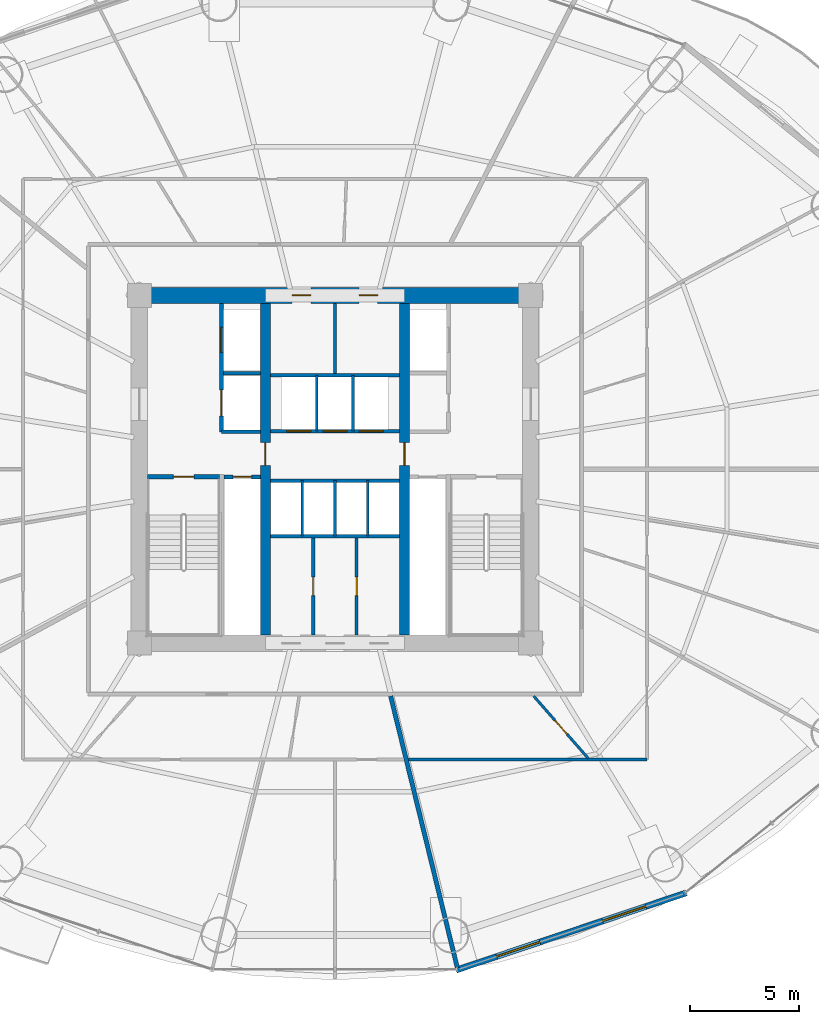
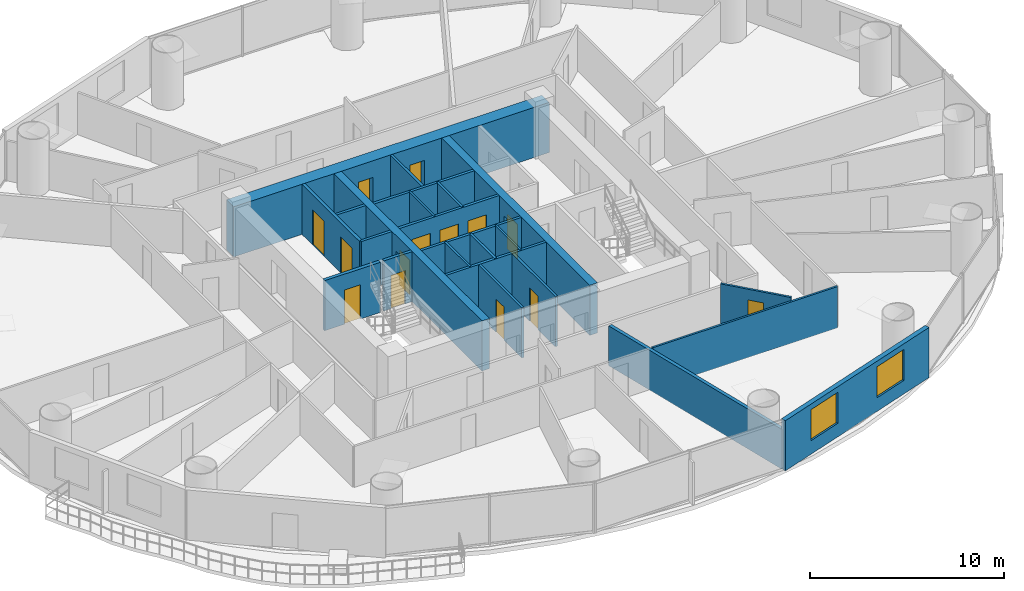
# One storey, part 23 of 29: 24 walls, 14 doors, 2 windows, 16 openings.
"""IFC4 building model written with IfcOpenShell, lengths in metres."""

from ifc_helpers import new_model, si_unit, direction, frame, frame_2d, origin, place, context, subcontext, project, spatial, rectangle, extrude, source, transform, mapped, material, layer, layer_set, type_object, element, fill, save


model = new_model("IFC4")

# Units and contexts
model_context = context("Model", 3, precision=1e-05, world=origin(), true_north=direction((-0.2419218956, 0.970295726276)))
body_context = subcontext(model_context, "Body", "Model", "MODEL_VIEW")
ifc_project = project(units=[si_unit("LENGTHUNIT", "METRE"), si_unit("AREAUNIT", "SQUARE_METRE"), si_unit("VOLUMEUNIT", "CUBIC_METRE"), si_unit("PLANEANGLEUNIT", "RADIAN"), si_unit("MASSUNIT", "GRAM", prefix="KILO")], contexts=[model_context])

# Site, building, storey
site_placement = place(None, origin())
site = spatial("IfcSite", under=ifc_project, at=site_placement, CompositionType="ELEMENT")
building_placement = place(site_placement, origin())
building = spatial("IfcBuilding", under=site, at=building_placement, Name="Cobrevalo Terracotta Tower", CompositionType="ELEMENT")
storey_placement = place(building_placement, frame((0.0, 0.0, 70.800048828125)))
storey = spatial("IfcBuildingStorey", under=building, at=storey_placement, Name="L18", CompositionType="ELEMENT", Elevation=70.800048828125)

# Wall, openings, doors
ifc_material_1 = material(Name="Concrete C60", Category="concrete")
ifc_layer_1 = layer(ifc_material_1, 0.75)
ifc_layer_set_1 = layer_set([ifc_layer_1], Name="Concrete C60")
wall_type_1 = type_object("IfcWallType", Name="Core shear wall 750 mm Concrete C60", PredefinedType="SHEAR", material=ifc_layer_set_1)
wall_1_placement = place(storey_placement, frame((28.625, 34.800048828125, 0.0), z_axis=(0.0, 0.0, 1.0), x_axis=(1.0, 0.0, 0.0)))
wall_1 = element("IfcWall", 1, at=wall_1_placement, inside=storey, type_object=wall_type_1, Name="L18 north core shear wall", PredefinedType="SHEAR", context=body_context, shape_type="SweptSolid", body=[
    extrude(rectangle(XDim=18.75, YDim=0.75, at=frame_2d((9.375, 0.0))), origin(), (0.0, 0.0, 1.0), 3.14990234375),
])
opening_1_placement = place(wall_1_placement, frame((7.407470703125, 0.0, 0.0)))
opening_1 = element("IfcOpeningElement", 2, at=opening_1_placement, cuts=wall_1, Name="Opening ID-07", PredefinedType="OPENING", context=body_context, shape_type="SweptSolid", body=[
    extrude(rectangle(XDim=0.860107421875, YDim=2.10009765625, at=frame_2d((0.43017578125, 1.050048828125))), frame((0.0, 0.385009765625, 0.0), z_axis=(0.0, -1.0, 0.0), x_axis=(1.0, 0.0, 0.0)), (0.0, 0.0, 1.0), 0.77001953125),
])
opening_2_placement = place(wall_1_placement, frame((10.487548828125, 0.0, 0.0)))
opening_2 = element("IfcOpeningElement", 3, at=opening_2_placement, cuts=wall_1, Name="Opening ID-22", PredefinedType="OPENING", context=body_context, shape_type="SweptSolid", body=[
    extrude(rectangle(XDim=0.85009765625, YDim=2.10009765625, at=frame_2d((0.425048828125, 1.050048828125))), frame((0.0, 0.385009765625, 0.0), z_axis=(0.0, -1.0, 0.0), x_axis=(1.0, 0.0, 0.0)), (0.0, 0.0, 1.0), 0.77001953125),
])
ifc_material_2 = material(Name="Powder-coated steel", Category="steel")
door_type_1 = type_object("IfcDoorType", Name="Riser shaft & meter closet fire access door 850x2100 EI 60", OperationType="NOTDEFINED", PredefinedType="DOOR", material=ifc_material_2)
shared_shape_1 = source(origin(), body_context, "Body", "SweptSolid", [
    extrude(rectangle(XDim=0.85009765625, YDim=2.10009765625, at=frame_2d((0.425048828125, 1.050048828125))), frame((0.0, 0.02490234375, 0.0), z_axis=(0.0, -1.0, 0.0), x_axis=(1.0, 0.0, 0.0)), (0.0, 0.0, 1.0), 0.050048828125),
])
door_1_placement = place(opening_2_placement, frame((0.85009765625, 0.0, 0.0), z_axis=(0.0, 0.0, 1.0), x_axis=(-1.0, 0.0, 0.0)))
door_1 = element("IfcDoor", 4, at=door_1_placement, inside=storey, type_object=door_type_1, Name="L18 core north service door Floor Telecom and Metering Plant", OperationType="SINGLE_SWING_RIGHT", OverallHeight=2.10009765625, OverallWidth=0.85009765625, PredefinedType="DOOR", context=body_context, shape_type="MappedRepresentation", body=[
    mapped(shared_shape_1, transform((0.0, 0.0, 0.0), scale=1.0)),
])
fill(opening_2, door_1)
ifc_material_3 = material(Name="Fire-rated moisture-sealed timber", Category="wood")
door_type_2 = type_object("IfcDoorType", Name="Core & podium fire-rated accessible WC door 860x2100 EI 60", OperationType="NOTDEFINED", PredefinedType="DOOR", material=ifc_material_3)
shared_shape_2 = source(origin(), body_context, "Body", "SweptSolid", [
    extrude(rectangle(XDim=0.860107421875, YDim=2.10009765625, at=frame_2d((0.43017578125, 1.050048828125))), frame((0.0, 0.02490234375, 0.0), z_axis=(0.0, -1.0, 0.0), x_axis=(1.0, 0.0, 0.0)), (0.0, 0.0, 1.0), 0.050048828125),
])
door_2_placement = place(opening_1_placement, frame((0.860107421875, 0.0, 0.0), z_axis=(0.0, 0.0, 1.0), x_axis=(-1.0, 0.0, 0.0)))
door_2 = element("IfcDoor", 5, at=door_2_placement, inside=storey, type_object=door_type_2, Name="L18 core north service door Core Accessible Toilet WC", OperationType="SINGLE_SWING_LEFT", OverallHeight=2.10009765625, OverallWidth=0.860107421875, PredefinedType="DOOR", context=body_context, shape_type="MappedRepresentation", body=[
    mapped(shared_shape_2, transform((0.0, 0.0, 0.0), scale=1.0)),
])
fill(opening_1, door_2)

# Walls
ifc_material_4 = material(Name="Gypsum board on steel stud", Category="steel")
ifc_layer_2 = layer(ifc_material_4, 0.159912109375)
ifc_layer_set_2 = layer_set([ifc_layer_2], Name="Gypsum board on steel stud")
wall_type_2 = type_object("IfcWallType", Name="Fire-rated corridor acoustic partition wall 160 mm", PredefinedType="PARTITIONING", material=ifc_layer_set_2)
wall_2_placement = place(storey_placement, frame((32.860107421875, 31.219970703125, 0.0), z_axis=(0.0, 0.0, 1.0), x_axis=(1.0, 0.0, 0.0)))
element("IfcWall", 6, at=wall_2_placement, inside=storey, type_object=wall_type_2, Name="L18 interior partition IW-L18-FF1-M", PredefinedType="PARTITIONING", context=body_context, shape_type="SweptSolid", body=[
    extrude(rectangle(XDim=1.71484375, YDim=0.159912109375, at=frame_2d((0.857421875, 0.0))), origin(), (0.0, 0.0, 1.0), 3.14990234375),
])
wall_3_placement = place(storey_placement, frame((32.77001953125, 28.52001953125, 0.0), z_axis=(0.0, 0.0, 1.0), x_axis=(1.0, 0.0, 0.0)))
element("IfcWall", 7, at=wall_3_placement, inside=storey, type_object=wall_type_2, Name="L18 interior partition IW-L18-FF1-S", PredefinedType="PARTITIONING", context=body_context, shape_type="SweptSolid", body=[
    extrude(rectangle(XDim=1.804931640625, YDim=0.159912109375, at=frame_2d((0.90234375, 0.0))), origin(), (0.0, 0.0, 1.0), 3.14990234375),
])

# Wall, openings, doors
wall_4_placement = place(storey_placement, frame((35.02490234375, 28.56005859375, 0.0), z_axis=(0.0, 0.0, 1.0), x_axis=(1.0, 0.0, 0.0)))
wall_4 = element("IfcWall", 8, at=wall_4_placement, inside=storey, type_object=wall_type_2, Name="L18 interior partition IW-L18-LB-S", PredefinedType="PARTITIONING", context=body_context, shape_type="SweptSolid", body=[
    extrude(rectangle(XDim=5.9501953125, YDim=0.159912109375, at=frame_2d((2.97509765625, 0.0))), origin(), (0.0, 0.0, 1.0), 3.14990234375),
])
opening_3_placement = place(wall_4_placement, frame((0.760009765625, 0.0, 0.0)))
opening_3 = element("IfcOpeningElement", 9, at=opening_3_placement, cuts=wall_4, Name="Opening LD-01", PredefinedType="OPENING", context=body_context, shape_type="SweptSolid", body=[
    extrude(rectangle(XDim=1.10009765625, YDim=2.199951171875, at=frame_2d((0.550048828125, 1.10009765625))), frame((0.0, 0.08984375, 0.0), z_axis=(0.0, -1.0, 0.0), x_axis=(1.0, 0.0, 0.0)), (0.0, 0.0, 1.0), 0.179931640625),
])
opening_4_placement = place(wall_4_placement, frame((2.425048828125, 0.0, 0.0)))
opening_4 = element("IfcOpeningElement", 10, at=opening_4_placement, cuts=wall_4, Name="Opening LD-01", PredefinedType="OPENING", context=body_context, shape_type="SweptSolid", body=[
    extrude(rectangle(XDim=1.10009765625, YDim=2.199951171875, at=frame_2d((0.550048828125, 1.10009765625))), frame((0.0, 0.08984375, 0.0), z_axis=(0.0, -1.0, 0.0), x_axis=(1.0, 0.0, 0.0)), (0.0, 0.0, 1.0), 0.179931640625),
])
opening_5_placement = place(wall_4_placement, frame((4.090087890625, 0.0, 0.0)))
opening_5 = element("IfcOpeningElement", 11, at=opening_5_placement, cuts=wall_4, Name="Opening LD-01", PredefinedType="OPENING", context=body_context, shape_type="SweptSolid", body=[
    extrude(rectangle(XDim=1.10009765625, YDim=2.199951171875, at=frame_2d((0.550048828125, 1.10009765625))), frame((0.0, 0.08984375, 0.0), z_axis=(0.0, -1.0, 0.0), x_axis=(1.0, 0.0, 0.0)), (0.0, 0.0, 1.0), 0.179931640625),
])
ifc_material_5 = material(Name="Brushed stainless steel", Category="steel")
door_type_3 = type_object("IfcDoorType", Name="Passenger lift landing bi-parting sliding door 1100x2200 EI 90", OperationType="DOUBLE_DOOR_SLIDING", PredefinedType="DOOR", material=ifc_material_5)
shared_shape_3 = source(origin(), body_context, "Body", "SweptSolid", [
    extrude(rectangle(XDim=1.10009765625, YDim=2.199951171875, at=frame_2d((0.550048828125, 1.10009765625))), frame((0.0, 0.02490234375, 0.0), z_axis=(0.0, -1.0, 0.0), x_axis=(1.0, 0.0, 0.0)), (0.0, 0.0, 1.0), 0.050048828125),
])
door_3_placement = place(opening_3_placement, origin())
door_3 = element("IfcDoor", 12, at=door_3_placement, inside=storey, type_object=door_type_3, Name="L18 lift landing door PL-L1", OperationType="DOUBLE_DOOR_SLIDING", OverallHeight=2.199951171875, OverallWidth=1.10009765625, PredefinedType="DOOR", context=body_context, shape_type="MappedRepresentation", body=[
    mapped(shared_shape_3, transform((0.0, 0.0, 0.0), scale=1.0)),
])
fill(opening_3, door_3)
door_4_placement = place(opening_4_placement, origin())
door_4 = element("IfcDoor", 13, at=door_4_placement, inside=storey, type_object=door_type_3, Name="L18 lift landing door PL-L2", OperationType="DOUBLE_DOOR_SLIDING", OverallHeight=2.199951171875, OverallWidth=1.10009765625, PredefinedType="DOOR", context=body_context, shape_type="MappedRepresentation", body=[
    mapped(shared_shape_3, transform((0.0, 0.0, 0.0), scale=1.0)),
])
fill(opening_4, door_4)
door_5_placement = place(opening_5_placement, origin())
door_5 = element("IfcDoor", 14, at=door_5_placement, inside=storey, type_object=door_type_3, Name="L18 lift landing door PL-L3", OperationType="DOUBLE_DOOR_SLIDING", OverallHeight=2.199951171875, OverallWidth=1.10009765625, PredefinedType="DOOR", context=body_context, shape_type="MappedRepresentation", body=[
    mapped(shared_shape_3, transform((0.0, 0.0, 0.0), scale=1.0)),
])
fill(opening_5, door_5)

# Walls
for number, where, z_axis, x_axis, name in (
    (15, (35.02490234375, 31.1201171875, 0.0), (0.0, 0.0, 1.0), (1.0, 0.0, 0.0), "L18 interior partition IW-L18-LB-N"),
    (16, (35.02490234375, 26.280029296875, 0.0), (0.0, 0.0, 1.0), (1.0, 0.0, 0.0), "L18 interior partition IW-L18-MB-N"),
    (17, (35.02490234375, 23.719970703125, 0.0), (0.0, 0.0, 1.0), (1.0, 0.0, 0.0), "L18 interior partition IW-L18-MB-S"),
):
    element("IfcWall", number, at=place(storey_placement, frame(where, z_axis=z_axis, x_axis=x_axis)), inside=storey, type_object=wall_type_2, Name=name, PredefinedType="PARTITIONING", context=body_context, shape_type="SweptSolid", body=[
        extrude(rectangle(XDim=5.9501953125, YDim=0.159912109375, at=frame_2d((2.97509765625, 0.0))), origin(), (0.0, 0.0, 1.0), 3.14990234375),
    ])

# Wall, opening, door
ifc_layer_3 = layer(ifc_material_4, 0.179931640625)
ifc_layer_set_3 = layer_set([ifc_layer_3], Name="Gypsum board on steel stud")
wall_type_3 = type_object("IfcWallType", Name="Fire-rated shaft & lobby acoustic partition wall 180 mm", PredefinedType="PARTITIONING", material=ifc_layer_set_3)
wall_5_placement = place(storey_placement, frame((32.89990234375, 26.449951171875, 0.0), z_axis=(0.0, 0.0, 1.0), x_axis=(1.0, 0.0, 0.0)))
wall_5 = element("IfcWall", 18, at=wall_5_placement, inside=storey, type_object=wall_type_3, Name="L18 interior partition IW-L18-RSW-N", PredefinedType="PARTITIONING", context=body_context, shape_type="SweptSolid", body=[
    extrude(rectangle(XDim=1.675048828125, YDim=0.179931640625, at=frame_2d((0.83740234375, 0.0))), origin(), (0.0, 0.0, 1.0), 3.14990234375),
])
opening_6_placement = place(wall_5_placement, frame((0.41259765625, 0.0, 0.0)))
opening_6 = element("IfcOpeningElement", 19, at=opening_6_placement, cuts=wall_5, Name="Opening ID-22", PredefinedType="OPENING", context=body_context, shape_type="SweptSolid", body=[
    extrude(rectangle(XDim=0.85009765625, YDim=2.10009765625, at=frame_2d((0.425048828125, 1.050048828125))), frame((0.0, 0.10009765625, 0.0), z_axis=(0.0, -1.0, 0.0), x_axis=(1.0, 0.0, 0.0)), (0.0, 0.0, 1.0), 0.199951171875),
])
door_6_placement = place(opening_6_placement, origin())
door_6 = element("IfcDoor", 20, at=door_6_placement, inside=storey, type_object=door_type_1, Name="L18 riser access door RSW", OperationType="SINGLE_SWING_LEFT", OverallHeight=2.10009765625, OverallWidth=0.85009765625, PredefinedType="DOOR", context=body_context, shape_type="MappedRepresentation", body=[
    mapped(shared_shape_1, transform((0.0, 0.0, 0.0), scale=1.0)),
])
fill(opening_6, door_6)

# Wall, openings, doors
wall_6_placement = place(storey_placement, frame((32.77001953125, 28.52001953125, 0.0), z_axis=(0.0, 0.0, 1.0), x_axis=(0.0, 1.0, 0.0)))
wall_6 = element("IfcWall", 21, at=wall_6_placement, inside=storey, type_object=wall_type_3, Name="L18 interior partition IW-L18-FF1-W", PredefinedType="PARTITIONING", context=body_context, shape_type="SweptSolid", body=[
    extrude(rectangle(XDim=5.905029296875, YDim=0.179931640625, at=frame_2d((2.95263671875, 0.0))), origin(), (0.0, 0.0, 1.0), 3.14990234375),
])
opening_7_placement = place(wall_6_placement, frame((3.655029296875, 0.0, 0.0)))
opening_7 = element("IfcOpeningElement", 22, at=opening_7_placement, cuts=wall_6, Name="Opening LD-02", PredefinedType="OPENING", context=body_context, shape_type="SweptSolid", body=[
    extrude(rectangle(XDim=1.14990234375, YDim=2.199951171875, at=frame_2d((0.574951171875, 1.10009765625))), frame((0.0, 0.10009765625, 0.0), z_axis=(0.0, -1.0, 0.0), x_axis=(1.0, 0.0, 0.0)), (0.0, 0.0, 1.0), 0.199951171875),
])
opening_8_placement = place(wall_6_placement, frame((0.72998046875, 0.0, 0.0)))
opening_8 = element("IfcOpeningElement", 23, at=opening_8_placement, cuts=wall_6, Name="Opening LD-03", PredefinedType="OPENING", context=body_context, shape_type="SweptSolid", body=[
    extrude(rectangle(XDim=1.199951171875, YDim=2.25, at=frame_2d((0.60009765625, 1.125))), frame((0.0, 0.10009765625, 0.0), z_axis=(0.0, -1.0, 0.0), x_axis=(1.0, 0.0, 0.0)), (0.0, 0.0, 1.0), 0.199951171875),
])
door_type_4 = type_object("IfcDoorType", Name="Firefighting lift landing bi-parting sliding door 1150x2200 EI 120", OperationType="DOUBLE_DOOR_SLIDING", PredefinedType="DOOR", material=ifc_material_5)
shared_shape_4 = source(origin(), body_context, "Body", "SweptSolid", [
    extrude(rectangle(XDim=1.14990234375, YDim=2.199951171875, at=frame_2d((0.574951171875, 1.10009765625))), frame((0.0, 0.02490234375, 0.0), z_axis=(0.0, -1.0, 0.0), x_axis=(1.0, 0.0, 0.0)), (0.0, 0.0, 1.0), 0.050048828125),
])
door_7_placement = place(opening_7_placement, origin())
door_7 = element("IfcDoor", 24, at=door_7_placement, inside=storey, type_object=door_type_4, Name="L18 lift landing door FF-1", OperationType="DOUBLE_DOOR_SLIDING", OverallHeight=2.199951171875, OverallWidth=1.14990234375, PredefinedType="DOOR", context=body_context, shape_type="MappedRepresentation", body=[
    mapped(shared_shape_4, transform((0.0, 0.0, 0.0), scale=1.0)),
])
fill(opening_7, door_7)
door_type_5 = type_object("IfcDoorType", Name="Service lift landing bi-parting sliding door 1200x2250 EI 120", OperationType="DOUBLE_DOOR_SLIDING", PredefinedType="DOOR", material=ifc_material_5)
shared_shape_5 = source(origin(), body_context, "Body", "SweptSolid", [
    extrude(rectangle(XDim=1.199951171875, YDim=2.25, at=frame_2d((0.60009765625, 1.125))), frame((0.0, 0.02490234375, 0.0), z_axis=(0.0, -1.0, 0.0), x_axis=(1.0, 0.0, 0.0)), (0.0, 0.0, 1.0), 0.050048828125),
])
door_8_placement = place(opening_8_placement, origin())
door_8 = element("IfcDoor", 25, at=door_8_placement, inside=storey, type_object=door_type_5, Name="L18 lift landing door SV-1", OperationType="DOUBLE_DOOR_SLIDING", OverallHeight=2.25, OverallWidth=1.199951171875, PredefinedType="DOOR", context=body_context, shape_type="MappedRepresentation", body=[
    mapped(shared_shape_5, transform((0.0, 0.0, 0.0), scale=1.0)),
])
fill(opening_8, door_8)

# Walls
ifc_material_6 = material(Name="Autoclaved aerated concrete block", Category="concrete")
ifc_layer_4 = layer(ifc_material_6, 0.199951171875)
ifc_layer_set_4 = layer_set([ifc_layer_4], Name="Autoclaved aerated concrete block")
wall_type_4 = type_object("IfcWallType", Name="Fire-rated stair, shaft & demising masonry wall 200 mm", PredefinedType="PARTITIONING", material=ifc_layer_set_4)
wall_7_placement = place(storey_placement, frame((40.5615234375, 16.364990234375, 0.0), z_axis=(0.0, 0.0, 1.0), x_axis=(0.238380116209, -0.971171931326, 0.0)))
element("IfcWall", 26, at=wall_7_placement, inside=storey, type_object=wall_type_4, Name="L18 interior partition IW-L18-DEM-5", PredefinedType="PARTITIONING", context=body_context, shape_type="SweptSolid", body=[
    extrude(rectangle(XDim=12.876708984375, YDim=0.199951171875, at=frame_2d((6.4384765625, 0.0))), origin(), (0.0, 0.0, 1.0), 2.5),
])
ifc_layer_5 = layer(ifc_material_6, 0.1201171875)
ifc_layer_set_5 = layer_set([ifc_layer_5], Name="Autoclaved aerated concrete block")
wall_type_5 = type_object("IfcWallType", Name="Fire-rated wet-room & core service partition 120 mm", PredefinedType="PARTITIONING", material=ifc_layer_set_5)
for number, where, z_axis, x_axis, name in (
    (27, (37.169921875, 28.56005859375, 0.0), (0.0, 0.0, 1.0), (0.0, 1.0, 0.0), "L18 interior partition IW-L18-LB-D1"),
    (28, (38.830078125, 28.56005859375, 0.0), (0.0, 0.0, 1.0), (0.0, 1.0, 0.0), "L18 interior partition IW-L18-LB-D2"),
    (29, (36.5, 23.719970703125, 0.0), (0.0, 0.0, 1.0), (0.0, 1.0, 0.0), "L18 interior partition IW-L18-MB-D1"),
    (30, (39.5, 23.719970703125, 0.0), (0.0, 0.0, 1.0), (0.0, 1.0, 0.0), "L18 interior partition IW-L18-MB-D3"),
):
    element("IfcWall", number, at=place(storey_placement, frame(where, z_axis=z_axis, x_axis=x_axis)), inside=storey, type_object=wall_type_5, Name=name, PredefinedType="PARTITIONING", context=body_context, shape_type="SweptSolid", body=[
        extrude(rectangle(XDim=2.56005859375, YDim=0.1201171875, at=frame_2d((1.280029296875, 0.0))), origin(), (0.0, 0.0, 1.0), 3.14990234375),
    ])

# Wall, openings, windows
ifc_layer_6 = layer(ifc_material_6, 0.280029296875)
ifc_layer_set_6 = layer_set([ifc_layer_6], Name="Autoclaved aerated concrete block")
wall_type_6 = type_object("IfcWallType", Name="Insulated tower spandrel & pier wall 280 mm with terracotta rainscreen", PredefinedType="SOLIDWALL", material=ifc_layer_set_6)
wall_8_placement = place(storey_placement, frame((43.575927734375, 3.755615234375, 0.0), z_axis=(0.0, 0.0, 1.0), x_axis=(0.948047847546, 0.31812777113, 0.0)))
wall_8 = element("IfcWall", 31, at=wall_8_placement, inside=storey, type_object=wall_type_6, Name="L18 terracotta rainscreen pier wall S13", PredefinedType="SOLIDWALL", context=body_context, shape_type="SweptSolid", body=[
    extrude(rectangle(XDim=11.17529296875, YDim=0.280029296875, at=frame_2d((5.587646484375, 0.0))), origin(), (0.0, 0.0, 1.0), 3.14990234375),
])
opening_9_placement = place(wall_8_placement, frame((1.96728515625, 0.0, 0.85009765625)))
opening_9 = element("IfcOpeningElement", 32, at=opening_9_placement, cuts=wall_8, Name="Opening WN-10", PredefinedType="OPENING", context=body_context, shape_type="SweptSolid", body=[
    extrude(rectangle(XDim=2.10009765625, YDim=1.949951171875, at=frame_2d((1.050048828125, 0.97509765625))), frame((0.0, 0.14990234375, 0.0), z_axis=(0.0, -1.0, 0.0), x_axis=(1.0, 0.0, 0.0)), (0.0, 0.0, 1.0), 0.300048828125),
])
opening_10_placement = place(wall_8_placement, frame((7.108154296875, 0.0, 0.85009765625)))
opening_10 = element("IfcOpeningElement", 33, at=opening_10_placement, cuts=wall_8, Name="Opening WN-10", PredefinedType="OPENING", context=body_context, shape_type="SweptSolid", body=[
    extrude(rectangle(XDim=2.10009765625, YDim=1.949951171875, at=frame_2d((1.050048828125, 0.97509765625))), frame((0.0, 0.14990234375, 0.0), z_axis=(0.0, -1.0, 0.0), x_axis=(1.0, 0.0, 0.0)), (0.0, 0.0, 1.0), 0.300048828125),
])
ifc_material_7 = material(Name="Solar-control low-E double glazing", Category="glass")
window_type = type_object("IfcWindowType", Name="Wide panoramic low-E aluminium window 2100x1950", PartitioningType="SINGLE_PANEL", PredefinedType="WINDOW", material=ifc_material_7)
shared_shape_6 = source(origin(), body_context, "Body", "SweptSolid", [
    extrude(rectangle(XDim=2.10009765625, YDim=1.949951171875, at=frame_2d((1.050048828125, 0.97509765625))), frame((0.0, 0.030029296875, 0.0), z_axis=(0.0, -1.0, 0.0), x_axis=(1.0, 0.0, 0.0)), (0.0, 0.0, 1.0), 0.06005859375),
])
window_1_placement = place(opening_9_placement, origin())
window_1 = element("IfcWindow", 34, at=window_1_placement, inside=storey, type_object=window_type, Name="L18 suite window S13A", OverallHeight=1.949951171875, OverallWidth=2.10009765625, PartitioningType="SINGLE_PANEL", PredefinedType="WINDOW", context=body_context, shape_type="MappedRepresentation", body=[
    mapped(shared_shape_6, transform((0.0, 0.0, 0.0), scale=1.0)),
])
fill(opening_9, window_1)
window_2_placement = place(opening_10_placement, origin())
window_2 = element("IfcWindow", 35, at=window_2_placement, inside=storey, type_object=window_type, Name="L18 suite window S13B", OverallHeight=1.949951171875, OverallWidth=2.10009765625, PartitioningType="SINGLE_PANEL", PredefinedType="WINDOW", context=body_context, shape_type="MappedRepresentation", body=[
    mapped(shared_shape_6, transform((0.0, 0.0, 0.0), scale=1.0)),
])
fill(opening_10, window_2)

# Wall, opening, door
ifc_material_8 = material(Name="Concrete C55", Category="concrete")
ifc_layer_7 = layer(ifc_material_8, 0.449951171875)
ifc_layer_set_7 = layer_set([ifc_layer_7], Name="Concrete C55")
wall_type_7 = type_object("IfcWallType", Name="Internal core shear web wall 450 mm Concrete C55", PredefinedType="SHEAR", material=ifc_layer_set_7)
wall_9_placement = place(storey_placement, frame((34.800048828125, 19.175048828125, 0.0), z_axis=(0.0, 0.0, 1.0), x_axis=(0.0, 1.0, 0.0)))
wall_9 = element("IfcWall", 36, at=wall_9_placement, inside=storey, type_object=wall_type_7, Name="L18 internal core shear wall WEB-W", PredefinedType="SHEAR", context=body_context, shape_type="SweptSolid", body=[
    extrude(rectangle(XDim=15.25, YDim=0.449951171875, at=frame_2d((7.625, 0.0))), origin(), (0.0, 0.0, 1.0), 3.14990234375),
])
opening_11_placement = place(wall_9_placement, frame((7.800048828125, 0.0, 0.0)))
opening_11 = element("IfcOpeningElement", 37, at=opening_11_placement, cuts=wall_9, Name="Opening ID-11", PredefinedType="OPENING", context=body_context, shape_type="SweptSolid", body=[
    extrude(rectangle(XDim=1.050048828125, YDim=2.14990234375, at=frame_2d((0.52490234375, 1.074951171875))), frame((0.0, 0.23486328125, 0.0), z_axis=(0.0, -1.0, 0.0), x_axis=(1.0, 0.0, 0.0)), (0.0, 0.0, 1.0), 0.469970703125),
])
ifc_material_9 = material(Name="Galvanized fire-rated steel", Category="steel")
door_type_6 = type_object("IfcDoorType", Name="Core concourse cross fire door 1050x2150 EI 90", OperationType="NOTDEFINED", PredefinedType="DOOR", material=ifc_material_9)
shared_shape_7 = source(origin(), body_context, "Body", "SweptSolid", [
    extrude(rectangle(XDim=1.050048828125, YDim=2.14990234375, at=frame_2d((0.52490234375, 1.074951171875))), frame((0.0, 0.02490234375, 0.0), z_axis=(0.0, -1.0, 0.0), x_axis=(1.0, 0.0, 0.0)), (0.0, 0.0, 1.0), 0.050048828125),
])
door_9_placement = place(opening_11_placement, origin())
door_9 = element("IfcDoor", 38, at=door_9_placement, inside=storey, type_object=door_type_6, Name="L18 west core concourse cross door", OperationType="SINGLE_SWING_LEFT", OverallHeight=2.14990234375, OverallWidth=1.050048828125, PredefinedType="DOOR", context=body_context, shape_type="MappedRepresentation", body=[
    mapped(shared_shape_7, transform((0.0, 0.0, 0.0), scale=1.0)),
])
fill(opening_11, door_9)

wall_10_placement = place(storey_placement, frame((41.199951171875, 19.175048828125, 0.0), z_axis=(0.0, 0.0, 1.0), x_axis=(0.0, 1.0, 0.0)))
wall_10 = element("IfcWall", 39, at=wall_10_placement, inside=storey, type_object=wall_type_7, Name="L18 internal core shear wall WEB-E", PredefinedType="SHEAR", context=body_context, shape_type="SweptSolid", body=[
    extrude(rectangle(XDim=15.25, YDim=0.449951171875, at=frame_2d((7.625, 0.0))), origin(), (0.0, 0.0, 1.0), 3.14990234375),
])
opening_12_placement = place(wall_10_placement, frame((7.800048828125, 0.0, 0.0)))
opening_12 = element("IfcOpeningElement", 40, at=opening_12_placement, cuts=wall_10, Name="Opening ID-11", PredefinedType="OPENING", context=body_context, shape_type="SweptSolid", body=[
    extrude(rectangle(XDim=1.050048828125, YDim=2.14990234375, at=frame_2d((0.52490234375, 1.074951171875))), frame((0.0, 0.23486328125, 0.0), z_axis=(0.0, -1.0, 0.0), x_axis=(1.0, 0.0, 0.0)), (0.0, 0.0, 1.0), 0.469970703125),
])
door_10_placement = place(opening_12_placement, frame((1.050048828125, 0.0, 0.0), z_axis=(0.0, 0.0, 1.0), x_axis=(-1.0, 0.0, 0.0)))
door_10 = element("IfcDoor", 41, at=door_10_placement, inside=storey, type_object=door_type_6, Name="L18 east core concourse cross door", OperationType="SINGLE_SWING_RIGHT", OverallHeight=2.14990234375, OverallWidth=1.050048828125, PredefinedType="DOOR", context=body_context, shape_type="MappedRepresentation", body=[
    mapped(shared_shape_7, transform((0.0, 0.0, 0.0), scale=1.0)),
])
fill(opening_12, door_10)

# Walls
ifc_layer_8 = layer(ifc_material_6, 0.139892578125)
ifc_layer_set_8 = layer_set([ifc_layer_8], Name="Autoclaved aerated concrete block")
wall_type_8 = type_object("IfcWallType", Name="Moisture-resistant wet-room & core service partition 140 mm", PredefinedType="PARTITIONING", material=ifc_layer_set_8)
wall_11_placement = place(storey_placement, frame((38.0, 31.199951171875, 0.0), z_axis=(0.0, 0.0, 1.0), x_axis=(0.0, 1.0, 0.0)))
element("IfcWall", 42, at=wall_11_placement, inside=storey, type_object=wall_type_8, Name="L18 interior partition IW-L18-KVN-1", PredefinedType="PARTITIONING", context=body_context, shape_type="SweptSolid", body=[
    extrude(rectangle(XDim=3.22509765625, YDim=0.139892578125, at=frame_2d((1.612548828125, 0.0))), origin(), (0.0, 0.0, 1.0), 3.14990234375),
])
wall_12_placement = place(storey_placement, frame((38.0, 23.719970703125, 0.0), z_axis=(0.0, 0.0, 1.0), x_axis=(0.0, 1.0, 0.0)))
element("IfcWall", 43, at=wall_12_placement, inside=storey, type_object=wall_type_8, Name="L18 interior partition IW-L18-MB-D2", PredefinedType="PARTITIONING", context=body_context, shape_type="SweptSolid", body=[
    extrude(rectangle(XDim=2.56005859375, YDim=0.139892578125, at=frame_2d((1.280029296875, 0.0))), origin(), (0.0, 0.0, 1.0), 3.14990234375),
])

# Wall, opening, door
wall_13_placement = place(storey_placement, frame((37.0, 19.175048828125, 0.0), z_axis=(0.0, 0.0, 1.0), x_axis=(0.0, 1.0, 0.0)))
wall_13 = element("IfcWall", 44, at=wall_13_placement, inside=storey, type_object=wall_type_8, Name="L18 interior partition IW-L18-KVS-V1", PredefinedType="PARTITIONING", context=body_context, shape_type="SweptSolid", body=[
    extrude(rectangle(XDim=4.46484375, YDim=0.139892578125, at=frame_2d((2.232421875, 0.0))), origin(), (0.0, 0.0, 1.0), 3.14990234375),
])
opening_13_placement = place(wall_13_placement, frame((1.8076171875, 0.0, 0.0)))
opening_13 = element("IfcOpeningElement", 45, at=opening_13_placement, cuts=wall_13, Name="Opening ID-22", PredefinedType="OPENING", context=body_context, shape_type="SweptSolid", body=[
    extrude(rectangle(XDim=0.85009765625, YDim=2.10009765625, at=frame_2d((0.425048828125, 1.050048828125))), frame((0.0, 0.080078125, 0.0), z_axis=(0.0, -1.0, 0.0), x_axis=(1.0, 0.0, 0.0)), (0.0, 0.0, 1.0), 0.159912109375),
])
door_11_placement = place(opening_13_placement, origin())
door_11 = element("IfcDoor", 46, at=door_11_placement, inside=storey, type_object=door_type_1, Name="L18 core KVS-V1 inner door", OperationType="SINGLE_SWING_LEFT", OverallHeight=2.10009765625, OverallWidth=0.85009765625, PredefinedType="DOOR", context=body_context, shape_type="MappedRepresentation", body=[
    mapped(shared_shape_1, transform((0.0, 0.0, 0.0), scale=1.0)),
])
fill(opening_13, door_11)

wall_14_placement = place(storey_placement, frame((39.0, 19.175048828125, 0.0), z_axis=(0.0, 0.0, 1.0), x_axis=(0.0, 1.0, 0.0)))
wall_14 = element("IfcWall", 47, at=wall_14_placement, inside=storey, type_object=wall_type_8, Name="L18 interior partition IW-L18-KVS-V2", PredefinedType="PARTITIONING", context=body_context, shape_type="SweptSolid", body=[
    extrude(rectangle(XDim=4.46484375, YDim=0.139892578125, at=frame_2d((2.232421875, 0.0))), origin(), (0.0, 0.0, 1.0), 3.14990234375),
])
opening_14_placement = place(wall_14_placement, frame((1.8076171875, 0.0, 0.0)))
opening_14 = element("IfcOpeningElement", 48, at=opening_14_placement, cuts=wall_14, Name="Opening ID-22", PredefinedType="OPENING", context=body_context, shape_type="SweptSolid", body=[
    extrude(rectangle(XDim=0.85009765625, YDim=2.10009765625, at=frame_2d((0.425048828125, 1.050048828125))), frame((0.0, 0.080078125, 0.0), z_axis=(0.0, -1.0, 0.0), x_axis=(1.0, 0.0, 0.0)), (0.0, 0.0, 1.0), 0.159912109375),
])
door_12_placement = place(opening_14_placement, origin())
door_12 = element("IfcDoor", 49, at=door_12_placement, inside=storey, type_object=door_type_1, Name="L18 core KVS-V2 inner door", OperationType="SINGLE_SWING_LEFT", OverallHeight=2.10009765625, OverallWidth=0.85009765625, PredefinedType="DOOR", context=body_context, shape_type="MappedRepresentation", body=[
    mapped(shared_shape_1, transform((0.0, 0.0, 0.0), scale=1.0)),
])
fill(opening_14, door_12)

# Wall
ifc_layer_9 = layer(ifc_material_4, 0.1201171875)
ifc_layer_set_9 = layer_set([ifc_layer_9], Name="Gypsum board on steel stud")
wall_type_9 = type_object("IfcWallType", Name="Residential internal acoustic stud partition 120 mm", PredefinedType="PARTITIONING", material=ifc_layer_set_9)
wall_15_placement = place(storey_placement, frame((52.35498046875, 13.445068359375, 0.0), z_axis=(0.0, 0.0, 1.0), x_axis=(-1.0, 0.0, 0.0)))
element("IfcWall", 50, at=wall_15_placement, inside=storey, type_object=wall_type_9, Name="L18 interior partition IW-L18-U5-RING1_0", PredefinedType="PARTITIONING", context=body_context, shape_type="SweptSolid", body=[
    extrude(rectangle(XDim=10.974853515625, YDim=0.1201171875, at=frame_2d((5.4873046875, 0.0))), origin(), (0.0, 0.0, 1.0), 2.595947265625),
])

# Wall, opening, door
wall_16_placement = place(storey_placement, frame((47.142578125, 16.364990234375, 0.0), z_axis=(0.0, 0.0, 1.0), x_axis=(0.659015717138, -0.752129167474, 0.0)))
wall_16 = element("IfcWall", 51, at=wall_16_placement, inside=storey, type_object=wall_type_9, Name="L18 interior partition IW-L18-U5-IRAD1", PredefinedType="PARTITIONING", context=body_context, shape_type="SweptSolid", body=[
    extrude(rectangle(XDim=3.8203125, YDim=0.1201171875, at=frame_2d((1.91015625, 0.0))), origin(), (0.0, 0.0, 1.0), 2.824951171875),
])
opening_15_placement = place(wall_16_placement, frame((1.47998046875, 0.0, 0.0)))
opening_15 = element("IfcOpeningElement", 52, at=opening_15_placement, cuts=wall_16, Name="Opening ID-19", PredefinedType="OPENING", context=body_context, shape_type="SweptSolid", body=[
    extrude(rectangle(XDim=0.860107421875, YDim=2.14990234375, at=frame_2d((0.43017578125, 1.074951171875))), frame((0.0, 0.070068359375, 0.0), z_axis=(0.0, -1.0, 0.0), x_axis=(1.0, 0.0, 0.0)), (0.0, 0.0, 1.0), 0.14013671875),
])
ifc_material_10 = material(Name="Moisture-sealed timber", Category="wood")
door_type_7 = type_object("IfcDoorType", Name="Suite bathroom internal timber door 860x2150", OperationType="NOTDEFINED", PredefinedType="DOOR", material=ifc_material_10)
shared_shape_8 = source(origin(), body_context, "Body", "SweptSolid", [
    extrude(rectangle(XDim=0.860107421875, YDim=2.14990234375, at=frame_2d((0.43017578125, 1.074951171875))), frame((0.0, 0.02490234375, 0.0), z_axis=(0.0, -1.0, 0.0), x_axis=(1.0, 0.0, 0.0)), (0.0, 0.0, 1.0), 0.050048828125),
])
door_13_placement = place(opening_15_placement, frame((0.860107421875, 0.0, 0.0), z_axis=(0.0, 0.0, 1.0), x_axis=(-1.0, 0.0, 0.0)))
door_13 = element("IfcDoor", 53, at=door_13_placement, inside=storey, type_object=door_type_7, Name="Flat L18E Primary Bathroom internal door", OperationType="SINGLE_SWING_LEFT", OverallHeight=2.14990234375, OverallWidth=0.860107421875, PredefinedType="DOOR", context=body_context, shape_type="MappedRepresentation", body=[
    mapped(shared_shape_8, transform((0.0, 0.0, 0.0), scale=1.0)),
])
fill(opening_15, door_13)

ifc_material_11 = material(Name="Concrete C50", Category="concrete")
ifc_layer_10 = layer(ifc_material_11, 0.199951171875)
ifc_layer_set_10 = layer_set([ifc_layer_10], Name="Concrete C50")
wall_type_10 = type_object("IfcWallType", Name="Structural core & podium stair-shaft RC wall 200 mm Concrete C50", PredefinedType="SOLIDWALL", material=ifc_layer_set_10)
wall_17_placement = place(storey_placement, frame((29.375, 26.449951171875, 0.0), z_axis=(0.0, 0.0, 1.0), x_axis=(1.0, 0.0, 0.0)))
wall_17 = element("IfcWall", 54, at=wall_17_placement, inside=storey, type_object=wall_type_10, Name="L18 ST-1 north structural shaft wall", PredefinedType="SOLIDWALL", context=body_context, shape_type="SweptSolid", body=[
    extrude(rectangle(XDim=3.320068359375, YDim=0.199951171875, at=frame_2d((1.66015625, 0.0))), origin(), (0.0, 0.0, 1.0), 3.14990234375),
])
opening_16_placement = place(wall_17_placement, frame((1.18505859375, 0.0, 0.0)))
opening_16 = element("IfcOpeningElement", 55, at=opening_16_placement, cuts=wall_17, Name="Opening ID-04", PredefinedType="OPENING", context=body_context, shape_type="SweptSolid", body=[
    extrude(rectangle(XDim=0.949951171875, YDim=2.14990234375, at=frame_2d((0.47509765625, 1.074951171875))), frame((0.0, 0.10986328125, 0.0), z_axis=(0.0, -1.0, 0.0), x_axis=(1.0, 0.0, 0.0)), (0.0, 0.0, 1.0), 0.219970703125),
])
door_type_8 = type_object("IfcDoorType", Name="Stair & firefighting lobby fire door 950x2150 EI 90", OperationType="NOTDEFINED", PredefinedType="DOOR", material=ifc_material_9)
shared_shape_9 = source(origin(), body_context, "Body", "SweptSolid", [
    extrude(rectangle(XDim=0.949951171875, YDim=2.14990234375, at=frame_2d((0.47509765625, 1.074951171875))), frame((0.0, 0.02490234375, 0.0), z_axis=(0.0, -1.0, 0.0), x_axis=(1.0, 0.0, 0.0)), (0.0, 0.0, 1.0), 0.050048828125),
])
door_14_placement = place(opening_16_placement, origin())
door_14 = element("IfcDoor", 56, at=door_14_placement, inside=storey, type_object=door_type_8, Name="L18 protected stair ST1 fire door", OperationType="SINGLE_SWING_LEFT", OverallHeight=2.14990234375, OverallWidth=0.949951171875, PredefinedType="DOOR", context=body_context, shape_type="MappedRepresentation", body=[
    mapped(shared_shape_9, transform((0.0, 0.0, 0.0), scale=1.0)),
])
fill(opening_16, door_14)

save(model, "model.ifc")
